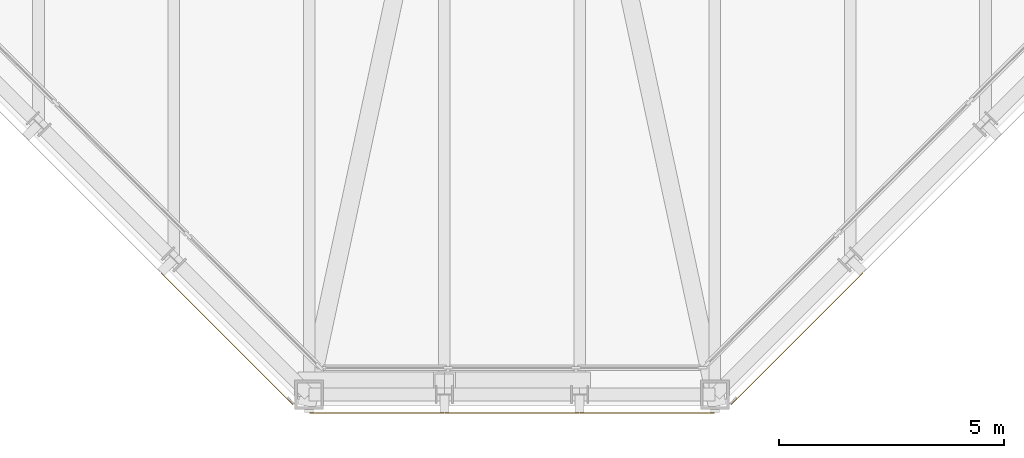
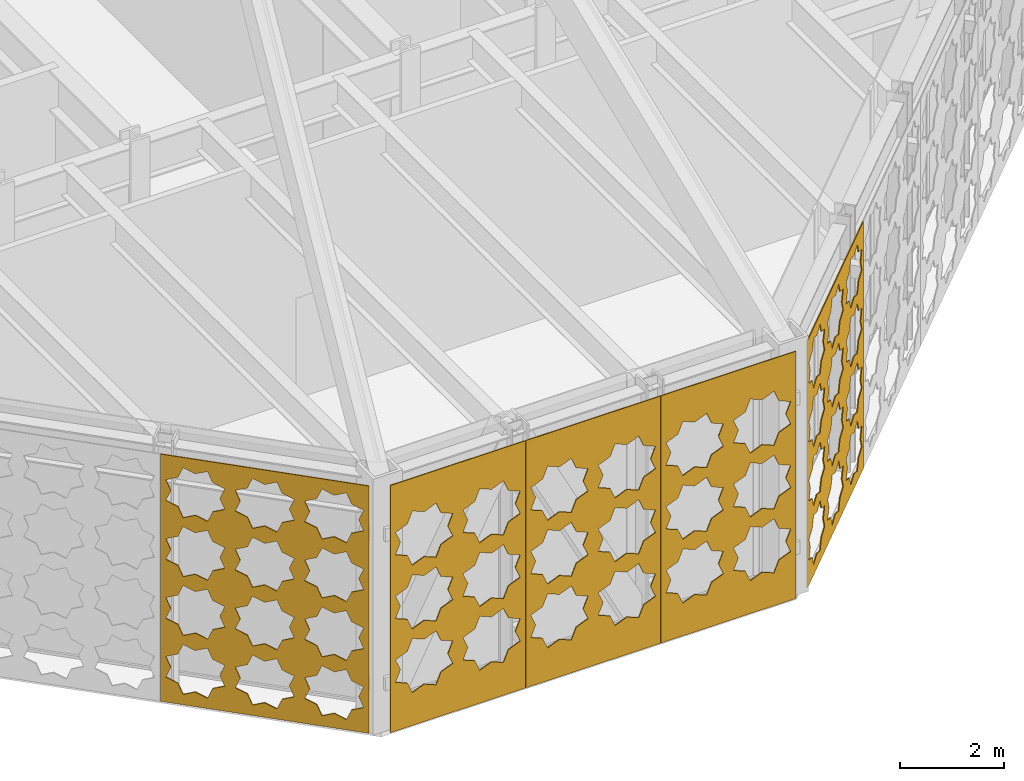
# One storey, part 23 of 30: 5 coverings.
"""IFC4 building model written with IfcOpenShell, lengths in metres."""

from ifc_helpers import new_model, si_unit, direction, frame, origin, place, context, subcontext, project, spatial, polyline, outline, extrude, material, layer, layer_set, type_object, element, save


model = new_model("IFC4")

# Units and contexts
model_context = context("Model", 3, precision=1e-05, world=origin(), true_north=direction((0.0, 1.0)))
body_context = subcontext(model_context, "Body", "Model", "MODEL_VIEW")
ifc_project = project(units=[si_unit("LENGTHUNIT", "METRE"), si_unit("AREAUNIT", "SQUARE_METRE"), si_unit("VOLUMEUNIT", "CUBIC_METRE"), si_unit("PLANEANGLEUNIT", "RADIAN"), si_unit("MASSUNIT", "GRAM", prefix="KILO")], contexts=[model_context])

# Site, building, storey
site_placement = place(None, origin())
site = spatial("IfcSite", under=ifc_project, at=site_placement, CompositionType="ELEMENT")
building_placement = place(site_placement, origin())
building = spatial("IfcBuilding", under=site, at=building_placement, Name="Chuquiago Exchange Tower", CompositionType="ELEMENT")
storey_placement = place(building_placement, frame((0.0, 0.0, 306.0)))
storey = spatial("IfcBuildingStorey", under=building, at=storey_placement, Name="L68", CompositionType="ELEMENT", Elevation=306.0)

# Coverings
ifc_material_1 = material(Name="Anodised aluminium, pale", Category="aluminium")
ifc_layer_1 = layer(ifc_material_1, 0.02001953125)
ifc_layer_set_1 = layer_set([ifc_layer_1], Name="GC3 girih cladding panel 20")
covering_type_1 = type_object("IfcCoveringType", Name="GC3 girih cladding panel 20", PredefinedType="CLADDING", material=ifc_layer_set_1)
covering_1_placement = place(storey_placement, frame((18.0048828125, -0.39990234375, 0.0048828125), z_axis=(0.0, 0.0, 1.0), x_axis=(1.0, 0.0, 0.0)))
element("IfcCovering", 1, at=covering_1_placement, inside=storey, type_object=covering_type_1, Name="Girih cladding panel L68 S 1", PredefinedType="CLADDING", context=body_context, shape_type="SweptSolid", body=[
    extrude(outline(polyline([(0.0, 0.0), (2.989990234375, 0.0), (2.989990234375, 5.795166015625), (0.0, 5.795166015625), (0.0, 0.0)]), holes=[polyline([(1.27392578125, 1.402587890625), (1.3828125, 1.665771484375), (1.11962890625, 1.77490234375), (1.0107421875, 2.0380859375), (0.74755859375, 1.928955078125), (0.484375, 2.0380859375), (0.375244140625, 1.77490234375), (0.112060546875, 1.665771484375), (0.22119140625, 1.402587890625), (0.112060546875, 1.139404296875), (0.375244140625, 1.030517578125), (0.484375, 0.767333984375), (0.74755859375, 0.876220703125), (1.0107421875, 0.767333984375), (1.11962890625, 1.030517578125), (1.3828125, 1.139404296875), (1.27392578125, 1.402587890625)]), polyline([(2.768798828125, 1.402587890625), (2.8779296875, 1.665771484375), (2.61474609375, 1.77490234375), (2.505615234375, 2.0380859375), (2.242431640625, 1.928955078125), (1.979248046875, 2.0380859375), (1.870361328125, 1.77490234375), (1.607177734375, 1.665771484375), (1.716064453125, 1.402587890625), (1.607177734375, 1.139404296875), (1.870361328125, 1.030517578125), (1.979248046875, 0.767333984375), (2.242431640625, 0.876220703125), (2.505615234375, 0.767333984375), (2.61474609375, 1.030517578125), (2.8779296875, 1.139404296875), (2.768798828125, 1.402587890625)]), polyline([(1.27392578125, 2.897705078125), (1.3828125, 3.160888671875), (1.11962890625, 3.269775390625), (1.0107421875, 3.532958984375), (0.74755859375, 3.424072265625), (0.484375, 3.532958984375), (0.375244140625, 3.269775390625), (0.112060546875, 3.160888671875), (0.22119140625, 2.897705078125), (0.112060546875, 2.634521484375), (0.375244140625, 2.525390625), (0.484375, 2.26220703125), (0.74755859375, 2.371337890625), (1.0107421875, 2.26220703125), (1.11962890625, 2.525390625), (1.3828125, 2.634521484375), (1.27392578125, 2.897705078125)]), polyline([(2.768798828125, 2.897705078125), (2.8779296875, 3.160888671875), (2.61474609375, 3.269775390625), (2.505615234375, 3.532958984375), (2.242431640625, 3.424072265625), (1.979248046875, 3.532958984375), (1.870361328125, 3.269775390625), (1.607177734375, 3.160888671875), (1.716064453125, 2.897705078125), (1.607177734375, 2.634521484375), (1.870361328125, 2.525390625), (1.979248046875, 2.26220703125), (2.242431640625, 2.371337890625), (2.505615234375, 2.26220703125), (2.61474609375, 2.525390625), (2.8779296875, 2.634521484375), (2.768798828125, 2.897705078125)]), polyline([(1.27392578125, 4.392578125), (1.3828125, 4.65576171875), (1.11962890625, 4.764892578125), (1.0107421875, 5.028076171875), (0.74755859375, 4.9189453125), (0.484375, 5.028076171875), (0.375244140625, 4.764892578125), (0.112060546875, 4.65576171875), (0.22119140625, 4.392578125), (0.112060546875, 4.12939453125), (0.375244140625, 4.0205078125), (0.484375, 3.75732421875), (0.74755859375, 3.8662109375), (1.0107421875, 3.75732421875), (1.11962890625, 4.0205078125), (1.3828125, 4.12939453125), (1.27392578125, 4.392578125)]), polyline([(2.768798828125, 4.392578125), (2.8779296875, 4.65576171875), (2.61474609375, 4.764892578125), (2.505615234375, 5.028076171875), (2.242431640625, 4.9189453125), (1.979248046875, 5.028076171875), (1.870361328125, 4.764892578125), (1.607177734375, 4.65576171875), (1.716064453125, 4.392578125), (1.607177734375, 4.12939453125), (1.870361328125, 4.0205078125), (1.979248046875, 3.75732421875), (2.242431640625, 3.8662109375), (2.505615234375, 3.75732421875), (2.61474609375, 4.0205078125), (2.8779296875, 4.12939453125), (2.768798828125, 4.392578125)])]), frame((0.0, 0.0, 0.0), z_axis=(0.0, -1.0, 0.0), x_axis=(1.0, 0.0, 0.0)), (0.0, 0.0, 1.0), 0.02001953125),
])
covering_2_placement = place(storey_placement, frame((21.0048828125, -0.39990234375, 0.0048828125), z_axis=(0.0, 0.0, 1.0), x_axis=(1.0, 0.0, 0.0)))
element("IfcCovering", 2, at=covering_2_placement, inside=storey, type_object=covering_type_1, Name="Girih cladding panel L68 S 2", PredefinedType="CLADDING", context=body_context, shape_type="SweptSolid", body=[
    extrude(outline(polyline([(0.0, 0.0), (2.989990234375, 0.0), (2.989990234375, 5.795166015625), (0.0, 5.795166015625), (0.0, 0.0)]), holes=[polyline([(1.27392578125, 1.402587890625), (1.3828125, 1.665771484375), (1.11962890625, 1.77490234375), (1.0107421875, 2.0380859375), (0.74755859375, 1.928955078125), (0.484375, 2.0380859375), (0.375244140625, 1.77490234375), (0.112060546875, 1.665771484375), (0.22119140625, 1.402587890625), (0.112060546875, 1.139404296875), (0.375244140625, 1.030517578125), (0.484375, 0.767333984375), (0.74755859375, 0.876220703125), (1.0107421875, 0.767333984375), (1.11962890625, 1.030517578125), (1.3828125, 1.139404296875), (1.27392578125, 1.402587890625)]), polyline([(2.768798828125, 1.402587890625), (2.8779296875, 1.665771484375), (2.61474609375, 1.77490234375), (2.505615234375, 2.0380859375), (2.242431640625, 1.928955078125), (1.979248046875, 2.0380859375), (1.870361328125, 1.77490234375), (1.607177734375, 1.665771484375), (1.716064453125, 1.402587890625), (1.607177734375, 1.139404296875), (1.870361328125, 1.030517578125), (1.979248046875, 0.767333984375), (2.242431640625, 0.876220703125), (2.505615234375, 0.767333984375), (2.61474609375, 1.030517578125), (2.8779296875, 1.139404296875), (2.768798828125, 1.402587890625)]), polyline([(1.27392578125, 2.897705078125), (1.3828125, 3.160888671875), (1.11962890625, 3.269775390625), (1.0107421875, 3.532958984375), (0.74755859375, 3.424072265625), (0.484375, 3.532958984375), (0.375244140625, 3.269775390625), (0.112060546875, 3.160888671875), (0.22119140625, 2.897705078125), (0.112060546875, 2.634521484375), (0.375244140625, 2.525390625), (0.484375, 2.26220703125), (0.74755859375, 2.371337890625), (1.0107421875, 2.26220703125), (1.11962890625, 2.525390625), (1.3828125, 2.634521484375), (1.27392578125, 2.897705078125)]), polyline([(2.768798828125, 2.897705078125), (2.8779296875, 3.160888671875), (2.61474609375, 3.269775390625), (2.505615234375, 3.532958984375), (2.242431640625, 3.424072265625), (1.979248046875, 3.532958984375), (1.870361328125, 3.269775390625), (1.607177734375, 3.160888671875), (1.716064453125, 2.897705078125), (1.607177734375, 2.634521484375), (1.870361328125, 2.525390625), (1.979248046875, 2.26220703125), (2.242431640625, 2.371337890625), (2.505615234375, 2.26220703125), (2.61474609375, 2.525390625), (2.8779296875, 2.634521484375), (2.768798828125, 2.897705078125)]), polyline([(1.27392578125, 4.392578125), (1.3828125, 4.65576171875), (1.11962890625, 4.764892578125), (1.0107421875, 5.028076171875), (0.74755859375, 4.9189453125), (0.484375, 5.028076171875), (0.375244140625, 4.764892578125), (0.112060546875, 4.65576171875), (0.22119140625, 4.392578125), (0.112060546875, 4.12939453125), (0.375244140625, 4.0205078125), (0.484375, 3.75732421875), (0.74755859375, 3.8662109375), (1.0107421875, 3.75732421875), (1.11962890625, 4.0205078125), (1.3828125, 4.12939453125), (1.27392578125, 4.392578125)]), polyline([(2.768798828125, 4.392578125), (2.8779296875, 4.65576171875), (2.61474609375, 4.764892578125), (2.505615234375, 5.028076171875), (2.242431640625, 4.9189453125), (1.979248046875, 5.028076171875), (1.870361328125, 4.764892578125), (1.607177734375, 4.65576171875), (1.716064453125, 4.392578125), (1.607177734375, 4.12939453125), (1.870361328125, 4.0205078125), (1.979248046875, 3.75732421875), (2.242431640625, 3.8662109375), (2.505615234375, 3.75732421875), (2.61474609375, 4.0205078125), (2.8779296875, 4.12939453125), (2.768798828125, 4.392578125)])]), frame((0.0, 0.0, 0.0), z_axis=(0.0, -1.0, 0.0), x_axis=(1.0, 0.0, 0.0)), (0.0, 0.0, 1.0), 0.02001953125),
])
covering_3_placement = place(storey_placement, frame((24.0048828125, -0.39990234375, 0.0048828125), z_axis=(0.0, 0.0, 1.0), x_axis=(1.0, 0.0, 0.0)))
element("IfcCovering", 3, at=covering_3_placement, inside=storey, type_object=covering_type_1, Name="Girih cladding panel L68 S 3", PredefinedType="CLADDING", context=body_context, shape_type="SweptSolid", body=[
    extrude(outline(polyline([(0.0, 0.0), (2.989990234375, 0.0), (2.989990234375, 5.795166015625), (0.0, 5.795166015625), (0.0, 0.0)]), holes=[polyline([(1.27392578125, 1.402587890625), (1.3828125, 1.665771484375), (1.11962890625, 1.77490234375), (1.0107421875, 2.0380859375), (0.74755859375, 1.928955078125), (0.484375, 2.0380859375), (0.375244140625, 1.77490234375), (0.112060546875, 1.665771484375), (0.22119140625, 1.402587890625), (0.112060546875, 1.139404296875), (0.375244140625, 1.030517578125), (0.484375, 0.767333984375), (0.74755859375, 0.876220703125), (1.0107421875, 0.767333984375), (1.11962890625, 1.030517578125), (1.3828125, 1.139404296875), (1.27392578125, 1.402587890625)]), polyline([(2.768798828125, 1.402587890625), (2.8779296875, 1.665771484375), (2.61474609375, 1.77490234375), (2.505615234375, 2.0380859375), (2.242431640625, 1.928955078125), (1.979248046875, 2.0380859375), (1.870361328125, 1.77490234375), (1.607177734375, 1.665771484375), (1.716064453125, 1.402587890625), (1.607177734375, 1.139404296875), (1.870361328125, 1.030517578125), (1.979248046875, 0.767333984375), (2.242431640625, 0.876220703125), (2.505615234375, 0.767333984375), (2.61474609375, 1.030517578125), (2.8779296875, 1.139404296875), (2.768798828125, 1.402587890625)]), polyline([(1.27392578125, 2.897705078125), (1.3828125, 3.160888671875), (1.11962890625, 3.269775390625), (1.0107421875, 3.532958984375), (0.74755859375, 3.424072265625), (0.484375, 3.532958984375), (0.375244140625, 3.269775390625), (0.112060546875, 3.160888671875), (0.22119140625, 2.897705078125), (0.112060546875, 2.634521484375), (0.375244140625, 2.525390625), (0.484375, 2.26220703125), (0.74755859375, 2.371337890625), (1.0107421875, 2.26220703125), (1.11962890625, 2.525390625), (1.3828125, 2.634521484375), (1.27392578125, 2.897705078125)]), polyline([(2.768798828125, 2.897705078125), (2.8779296875, 3.160888671875), (2.61474609375, 3.269775390625), (2.505615234375, 3.532958984375), (2.242431640625, 3.424072265625), (1.979248046875, 3.532958984375), (1.870361328125, 3.269775390625), (1.607177734375, 3.160888671875), (1.716064453125, 2.897705078125), (1.607177734375, 2.634521484375), (1.870361328125, 2.525390625), (1.979248046875, 2.26220703125), (2.242431640625, 2.371337890625), (2.505615234375, 2.26220703125), (2.61474609375, 2.525390625), (2.8779296875, 2.634521484375), (2.768798828125, 2.897705078125)]), polyline([(1.27392578125, 4.392578125), (1.3828125, 4.65576171875), (1.11962890625, 4.764892578125), (1.0107421875, 5.028076171875), (0.74755859375, 4.9189453125), (0.484375, 5.028076171875), (0.375244140625, 4.764892578125), (0.112060546875, 4.65576171875), (0.22119140625, 4.392578125), (0.112060546875, 4.12939453125), (0.375244140625, 4.0205078125), (0.484375, 3.75732421875), (0.74755859375, 3.8662109375), (1.0107421875, 3.75732421875), (1.11962890625, 4.0205078125), (1.3828125, 4.12939453125), (1.27392578125, 4.392578125)]), polyline([(2.768798828125, 4.392578125), (2.8779296875, 4.65576171875), (2.61474609375, 4.764892578125), (2.505615234375, 5.028076171875), (2.242431640625, 4.9189453125), (1.979248046875, 5.028076171875), (1.870361328125, 4.764892578125), (1.607177734375, 4.65576171875), (1.716064453125, 4.392578125), (1.607177734375, 4.12939453125), (1.870361328125, 4.0205078125), (1.979248046875, 3.75732421875), (2.242431640625, 3.8662109375), (2.505615234375, 3.75732421875), (2.61474609375, 4.0205078125), (2.8779296875, 4.12939453125), (2.768798828125, 4.392578125)])]), frame((0.0, 0.0, 0.0), z_axis=(0.0, -1.0, 0.0), x_axis=(1.0, 0.0, 0.0)), (0.0, 0.0, 1.0), 0.02001953125),
])
ifc_material_2 = material(Name="Anodised aluminium, pale", Category="aluminium")
ifc_layer_2 = layer(ifc_material_2, 0.02001953125)
ifc_layer_set_2 = layer_set([ifc_layer_2], Name="GC7 girih cladding panel 20")
covering_type_2 = type_object("IfcCoveringType", Name="GC7 girih cladding panel 20", PredefinedType="CLADDING", material=ifc_layer_set_2)
covering_4_placement = place(storey_placement, frame((27.35009765625, -0.2158203125, 0.0048828125), z_axis=(0.0, 0.0, 1.0), x_axis=(0.707106781187, 0.707106781187, 0.0)))
element("IfcCovering", 4, at=covering_4_placement, inside=storey, type_object=covering_type_2, Name="Girih cladding panel L68 SE 1", PredefinedType="CLADDING", context=body_context, shape_type="SweptSolid", body=[
    extrude(outline(polyline([(0.0, 0.0), (4.142578125, 0.0), (4.142578125, 5.795166015625), (0.0, 5.795166015625), (0.0, 0.0)]), holes=[polyline([(1.176513671875, 0.826416015625), (1.27734375, 1.0693359375), (1.0341796875, 1.169921875), (0.93359375, 1.4130859375), (0.6904296875, 1.3125), (0.447509765625, 1.4130859375), (0.3466796875, 1.169921875), (0.103515625, 1.0693359375), (0.204345703125, 0.826416015625), (0.103515625, 0.583251953125), (0.3466796875, 0.482421875), (0.447509765625, 0.239501953125), (0.6904296875, 0.340087890625), (0.93359375, 0.239501953125), (1.0341796875, 0.482421875), (1.27734375, 0.583251953125), (1.176513671875, 0.826416015625)]), polyline([(2.5576171875, 0.826416015625), (2.658203125, 1.0693359375), (2.4150390625, 1.169921875), (2.314453125, 1.4130859375), (2.0712890625, 1.3125), (1.828369140625, 1.4130859375), (1.7275390625, 1.169921875), (1.484619140625, 1.0693359375), (1.585205078125, 0.826416015625), (1.484619140625, 0.583251953125), (1.7275390625, 0.482421875), (1.828369140625, 0.239501953125), (2.0712890625, 0.340087890625), (2.314453125, 0.239501953125), (2.4150390625, 0.482421875), (2.658203125, 0.583251953125), (2.5576171875, 0.826416015625)]), polyline([(3.9384765625, 0.826416015625), (4.0390625, 1.0693359375), (3.7958984375, 1.169921875), (3.6953125, 1.4130859375), (3.452392578125, 1.3125), (3.209228515625, 1.4130859375), (3.1083984375, 1.169921875), (2.865478515625, 1.0693359375), (2.966064453125, 0.826416015625), (2.865478515625, 0.583251953125), (3.1083984375, 0.482421875), (3.209228515625, 0.239501953125), (3.452392578125, 0.340087890625), (3.6953125, 0.239501953125), (3.7958984375, 0.482421875), (4.0390625, 0.583251953125), (3.9384765625, 0.826416015625)]), polyline([(1.176513671875, 2.207275390625), (1.27734375, 2.4501953125), (1.0341796875, 2.551025390625), (0.93359375, 2.7939453125), (0.6904296875, 2.693359375), (0.447509765625, 2.7939453125), (0.3466796875, 2.551025390625), (0.103515625, 2.4501953125), (0.204345703125, 2.207275390625), (0.103515625, 1.964111328125), (0.3466796875, 1.863525390625), (0.447509765625, 1.620361328125), (0.6904296875, 1.720947265625), (0.93359375, 1.620361328125), (1.0341796875, 1.863525390625), (1.27734375, 1.964111328125), (1.176513671875, 2.207275390625)]), polyline([(2.5576171875, 2.207275390625), (2.658203125, 2.4501953125), (2.4150390625, 2.551025390625), (2.314453125, 2.7939453125), (2.0712890625, 2.693359375), (1.828369140625, 2.7939453125), (1.7275390625, 2.551025390625), (1.484619140625, 2.4501953125), (1.585205078125, 2.207275390625), (1.484619140625, 1.964111328125), (1.7275390625, 1.863525390625), (1.828369140625, 1.620361328125), (2.0712890625, 1.720947265625), (2.314453125, 1.620361328125), (2.4150390625, 1.863525390625), (2.658203125, 1.964111328125), (2.5576171875, 2.207275390625)]), polyline([(3.9384765625, 2.207275390625), (4.0390625, 2.4501953125), (3.7958984375, 2.551025390625), (3.6953125, 2.7939453125), (3.452392578125, 2.693359375), (3.209228515625, 2.7939453125), (3.1083984375, 2.551025390625), (2.865478515625, 2.4501953125), (2.966064453125, 2.207275390625), (2.865478515625, 1.964111328125), (3.1083984375, 1.863525390625), (3.209228515625, 1.620361328125), (3.452392578125, 1.720947265625), (3.6953125, 1.620361328125), (3.7958984375, 1.863525390625), (4.0390625, 1.964111328125), (3.9384765625, 2.207275390625)]), polyline([(1.176513671875, 3.588134765625), (1.27734375, 3.8310546875), (1.0341796875, 3.931884765625), (0.93359375, 4.1748046875), (0.6904296875, 4.07421875), (0.447509765625, 4.1748046875), (0.3466796875, 3.931884765625), (0.103515625, 3.8310546875), (0.204345703125, 3.588134765625), (0.103515625, 3.344970703125), (0.3466796875, 3.244384765625), (0.447509765625, 3.001220703125), (0.6904296875, 3.101806640625), (0.93359375, 3.001220703125), (1.0341796875, 3.244384765625), (1.27734375, 3.344970703125), (1.176513671875, 3.588134765625)]), polyline([(2.5576171875, 3.588134765625), (2.658203125, 3.8310546875), (2.4150390625, 3.931884765625), (2.314453125, 4.1748046875), (2.0712890625, 4.07421875), (1.828369140625, 4.1748046875), (1.7275390625, 3.931884765625), (1.484619140625, 3.8310546875), (1.585205078125, 3.588134765625), (1.484619140625, 3.344970703125), (1.7275390625, 3.244384765625), (1.828369140625, 3.001220703125), (2.0712890625, 3.101806640625), (2.314453125, 3.001220703125), (2.4150390625, 3.244384765625), (2.658203125, 3.344970703125), (2.5576171875, 3.588134765625)]), polyline([(3.9384765625, 3.588134765625), (4.0390625, 3.8310546875), (3.7958984375, 3.931884765625), (3.6953125, 4.1748046875), (3.452392578125, 4.07421875), (3.209228515625, 4.1748046875), (3.1083984375, 3.931884765625), (2.865478515625, 3.8310546875), (2.966064453125, 3.588134765625), (2.865478515625, 3.344970703125), (3.1083984375, 3.244384765625), (3.209228515625, 3.001220703125), (3.452392578125, 3.101806640625), (3.6953125, 3.001220703125), (3.7958984375, 3.244384765625), (4.0390625, 3.344970703125), (3.9384765625, 3.588134765625)]), polyline([(1.176513671875, 4.968994140625), (1.27734375, 5.2119140625), (1.0341796875, 5.312744140625), (0.93359375, 5.555908203125), (0.6904296875, 5.455078125), (0.447509765625, 5.555908203125), (0.3466796875, 5.312744140625), (0.103515625, 5.2119140625), (0.204345703125, 4.968994140625), (0.103515625, 4.725830078125), (0.3466796875, 4.625244140625), (0.447509765625, 4.382080078125), (0.6904296875, 4.48291015625), (0.93359375, 4.382080078125), (1.0341796875, 4.625244140625), (1.27734375, 4.725830078125), (1.176513671875, 4.968994140625)]), polyline([(2.5576171875, 4.968994140625), (2.658203125, 5.2119140625), (2.4150390625, 5.312744140625), (2.314453125, 5.555908203125), (2.0712890625, 5.455078125), (1.828369140625, 5.555908203125), (1.7275390625, 5.312744140625), (1.484619140625, 5.2119140625), (1.585205078125, 4.968994140625), (1.484619140625, 4.725830078125), (1.7275390625, 4.625244140625), (1.828369140625, 4.382080078125), (2.0712890625, 4.48291015625), (2.314453125, 4.382080078125), (2.4150390625, 4.625244140625), (2.658203125, 4.725830078125), (2.5576171875, 4.968994140625)]), polyline([(3.9384765625, 4.968994140625), (4.0390625, 5.2119140625), (3.7958984375, 5.312744140625), (3.6953125, 5.555908203125), (3.452392578125, 5.455078125), (3.209228515625, 5.555908203125), (3.1083984375, 5.312744140625), (2.865478515625, 5.2119140625), (2.966064453125, 4.968994140625), (2.865478515625, 4.725830078125), (3.1083984375, 4.625244140625), (3.209228515625, 4.382080078125), (3.452392578125, 4.48291015625), (3.6953125, 4.382080078125), (3.7958984375, 4.625244140625), (4.0390625, 4.725830078125), (3.9384765625, 4.968994140625)])]), frame((0.0, 0.0, 0.0), z_axis=(0.0, -1.0, 0.0), x_axis=(1.0, 0.0, 0.0)), (0.0, 0.0, 1.0), 0.02001953125),
])
covering_5_placement = place(storey_placement, frame((14.720703125, 2.713623046875, 0.0048828125), z_axis=(0.0, 0.0, 1.0), x_axis=(0.707106781187, -0.707106781187, 0.0)))
element("IfcCovering", 5, at=covering_5_placement, inside=storey, type_object=covering_type_2, Name="Girih cladding panel L68 SW 6", PredefinedType="CLADDING", context=body_context, shape_type="SweptSolid", body=[
    extrude(outline(polyline([(0.0, 0.0), (4.142578125, 0.0), (4.142578125, 5.795166015625), (0.0, 5.795166015625), (0.0, 0.0)]), holes=[polyline([(1.176513671875, 0.826416015625), (1.27734375, 1.0693359375), (1.0341796875, 1.169921875), (0.93359375, 1.4130859375), (0.6904296875, 1.3125), (0.447509765625, 1.4130859375), (0.3466796875, 1.169921875), (0.103515625, 1.0693359375), (0.204345703125, 0.826416015625), (0.103515625, 0.583251953125), (0.3466796875, 0.482421875), (0.447509765625, 0.239501953125), (0.6904296875, 0.340087890625), (0.93359375, 0.239501953125), (1.0341796875, 0.482421875), (1.27734375, 0.583251953125), (1.176513671875, 0.826416015625)]), polyline([(2.5576171875, 0.826416015625), (2.658203125, 1.0693359375), (2.4150390625, 1.169921875), (2.314453125, 1.4130859375), (2.0712890625, 1.3125), (1.828369140625, 1.4130859375), (1.7275390625, 1.169921875), (1.484619140625, 1.0693359375), (1.585205078125, 0.826416015625), (1.484619140625, 0.583251953125), (1.7275390625, 0.482421875), (1.828369140625, 0.239501953125), (2.0712890625, 0.340087890625), (2.314453125, 0.239501953125), (2.4150390625, 0.482421875), (2.658203125, 0.583251953125), (2.5576171875, 0.826416015625)]), polyline([(3.9384765625, 0.826416015625), (4.0390625, 1.0693359375), (3.7958984375, 1.169921875), (3.6953125, 1.4130859375), (3.452392578125, 1.3125), (3.209228515625, 1.4130859375), (3.1083984375, 1.169921875), (2.865478515625, 1.0693359375), (2.966064453125, 0.826416015625), (2.865478515625, 0.583251953125), (3.1083984375, 0.482421875), (3.209228515625, 0.239501953125), (3.452392578125, 0.340087890625), (3.6953125, 0.239501953125), (3.7958984375, 0.482421875), (4.0390625, 0.583251953125), (3.9384765625, 0.826416015625)]), polyline([(1.176513671875, 2.207275390625), (1.27734375, 2.4501953125), (1.0341796875, 2.551025390625), (0.93359375, 2.7939453125), (0.6904296875, 2.693359375), (0.447509765625, 2.7939453125), (0.3466796875, 2.551025390625), (0.103515625, 2.4501953125), (0.204345703125, 2.207275390625), (0.103515625, 1.964111328125), (0.3466796875, 1.863525390625), (0.447509765625, 1.620361328125), (0.6904296875, 1.720947265625), (0.93359375, 1.620361328125), (1.0341796875, 1.863525390625), (1.27734375, 1.964111328125), (1.176513671875, 2.207275390625)]), polyline([(2.5576171875, 2.207275390625), (2.658203125, 2.4501953125), (2.4150390625, 2.551025390625), (2.314453125, 2.7939453125), (2.0712890625, 2.693359375), (1.828369140625, 2.7939453125), (1.7275390625, 2.551025390625), (1.484619140625, 2.4501953125), (1.585205078125, 2.207275390625), (1.484619140625, 1.964111328125), (1.7275390625, 1.863525390625), (1.828369140625, 1.620361328125), (2.0712890625, 1.720947265625), (2.314453125, 1.620361328125), (2.4150390625, 1.863525390625), (2.658203125, 1.964111328125), (2.5576171875, 2.207275390625)]), polyline([(3.9384765625, 2.207275390625), (4.0390625, 2.4501953125), (3.7958984375, 2.551025390625), (3.6953125, 2.7939453125), (3.452392578125, 2.693359375), (3.209228515625, 2.7939453125), (3.1083984375, 2.551025390625), (2.865478515625, 2.4501953125), (2.966064453125, 2.207275390625), (2.865478515625, 1.964111328125), (3.1083984375, 1.863525390625), (3.209228515625, 1.620361328125), (3.452392578125, 1.720947265625), (3.6953125, 1.620361328125), (3.7958984375, 1.863525390625), (4.0390625, 1.964111328125), (3.9384765625, 2.207275390625)]), polyline([(1.176513671875, 3.588134765625), (1.27734375, 3.8310546875), (1.0341796875, 3.931884765625), (0.93359375, 4.1748046875), (0.6904296875, 4.07421875), (0.447509765625, 4.1748046875), (0.3466796875, 3.931884765625), (0.103515625, 3.8310546875), (0.204345703125, 3.588134765625), (0.103515625, 3.344970703125), (0.3466796875, 3.244384765625), (0.447509765625, 3.001220703125), (0.6904296875, 3.101806640625), (0.93359375, 3.001220703125), (1.0341796875, 3.244384765625), (1.27734375, 3.344970703125), (1.176513671875, 3.588134765625)]), polyline([(2.5576171875, 3.588134765625), (2.658203125, 3.8310546875), (2.4150390625, 3.931884765625), (2.314453125, 4.1748046875), (2.0712890625, 4.07421875), (1.828369140625, 4.1748046875), (1.7275390625, 3.931884765625), (1.484619140625, 3.8310546875), (1.585205078125, 3.588134765625), (1.484619140625, 3.344970703125), (1.7275390625, 3.244384765625), (1.828369140625, 3.001220703125), (2.0712890625, 3.101806640625), (2.314453125, 3.001220703125), (2.4150390625, 3.244384765625), (2.658203125, 3.344970703125), (2.5576171875, 3.588134765625)]), polyline([(3.9384765625, 3.588134765625), (4.0390625, 3.8310546875), (3.7958984375, 3.931884765625), (3.6953125, 4.1748046875), (3.452392578125, 4.07421875), (3.209228515625, 4.1748046875), (3.1083984375, 3.931884765625), (2.865478515625, 3.8310546875), (2.966064453125, 3.588134765625), (2.865478515625, 3.344970703125), (3.1083984375, 3.244384765625), (3.209228515625, 3.001220703125), (3.452392578125, 3.101806640625), (3.6953125, 3.001220703125), (3.7958984375, 3.244384765625), (4.0390625, 3.344970703125), (3.9384765625, 3.588134765625)]), polyline([(1.176513671875, 4.968994140625), (1.27734375, 5.2119140625), (1.0341796875, 5.312744140625), (0.93359375, 5.555908203125), (0.6904296875, 5.455078125), (0.447509765625, 5.555908203125), (0.3466796875, 5.312744140625), (0.103515625, 5.2119140625), (0.204345703125, 4.968994140625), (0.103515625, 4.725830078125), (0.3466796875, 4.625244140625), (0.447509765625, 4.382080078125), (0.6904296875, 4.48291015625), (0.93359375, 4.382080078125), (1.0341796875, 4.625244140625), (1.27734375, 4.725830078125), (1.176513671875, 4.968994140625)]), polyline([(2.5576171875, 4.968994140625), (2.658203125, 5.2119140625), (2.4150390625, 5.312744140625), (2.314453125, 5.555908203125), (2.0712890625, 5.455078125), (1.828369140625, 5.555908203125), (1.7275390625, 5.312744140625), (1.484619140625, 5.2119140625), (1.585205078125, 4.968994140625), (1.484619140625, 4.725830078125), (1.7275390625, 4.625244140625), (1.828369140625, 4.382080078125), (2.0712890625, 4.48291015625), (2.314453125, 4.382080078125), (2.4150390625, 4.625244140625), (2.658203125, 4.725830078125), (2.5576171875, 4.968994140625)]), polyline([(3.9384765625, 4.968994140625), (4.0390625, 5.2119140625), (3.7958984375, 5.312744140625), (3.6953125, 5.555908203125), (3.452392578125, 5.455078125), (3.209228515625, 5.555908203125), (3.1083984375, 5.312744140625), (2.865478515625, 5.2119140625), (2.966064453125, 4.968994140625), (2.865478515625, 4.725830078125), (3.1083984375, 4.625244140625), (3.209228515625, 4.382080078125), (3.452392578125, 4.48291015625), (3.6953125, 4.382080078125), (3.7958984375, 4.625244140625), (4.0390625, 4.725830078125), (3.9384765625, 4.968994140625)])]), frame((0.0, 0.0, 0.0), z_axis=(0.0, -1.0, 0.0), x_axis=(1.0, 0.0, 0.0)), (0.0, 0.0, 1.0), 0.02001953125),
])

save(model, "model.ifc")
